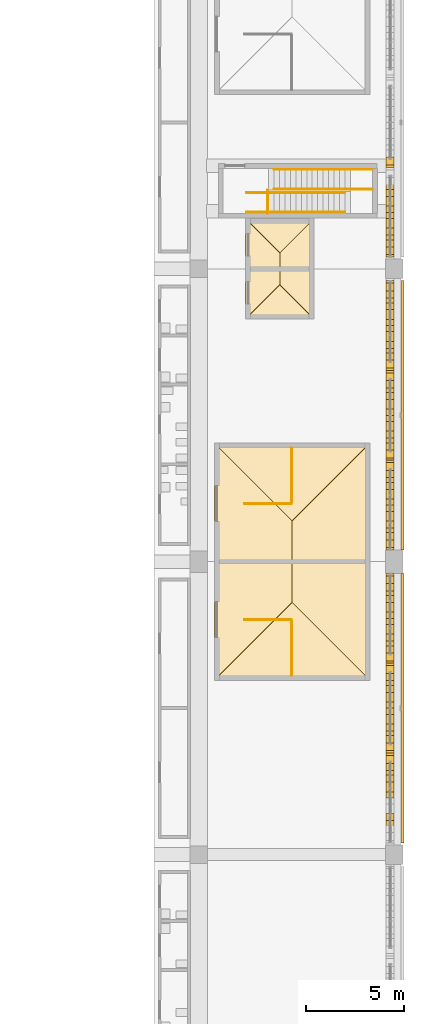
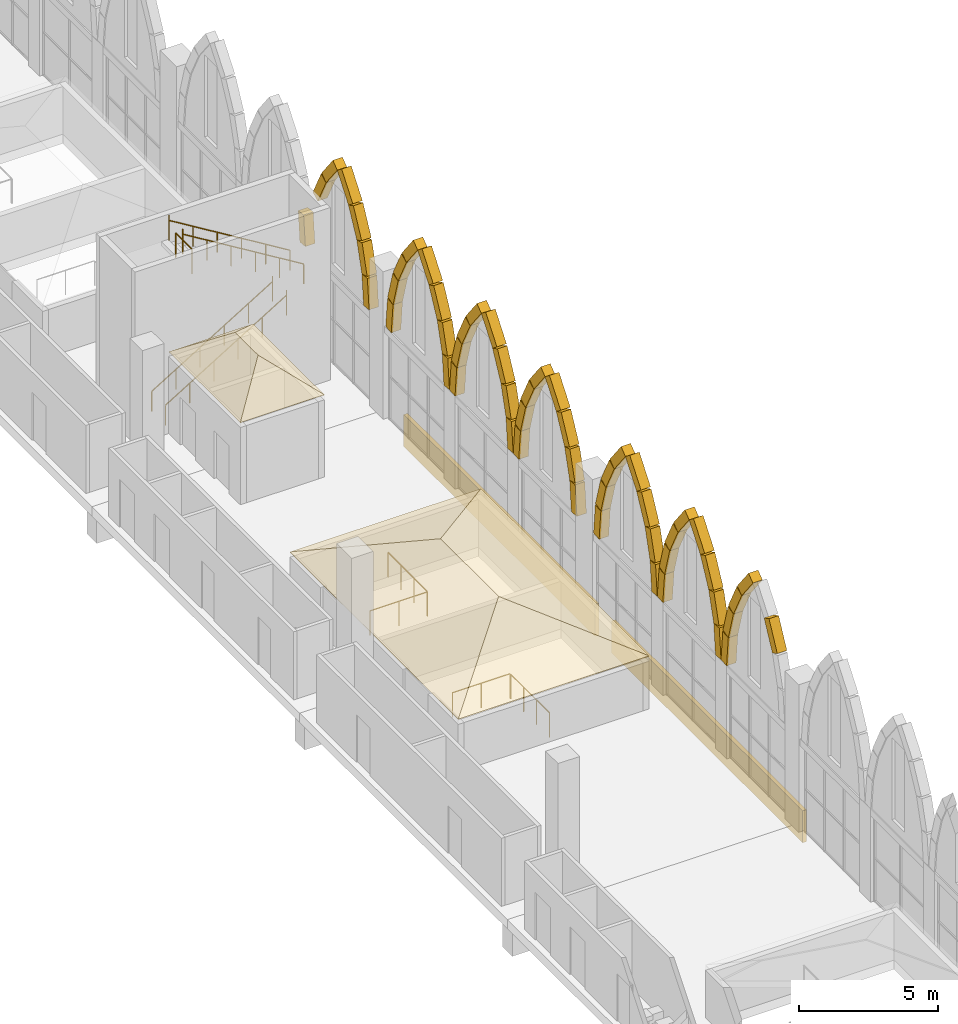
# One storey, part 113 of 130: 62 coverings, 9 railings.
"""IFC4 building model written with IfcOpenShell, lengths in metres."""

from ifc_helpers import new_model, si_unit, direction, frame, origin, origin_2d, place, context, subcontext, project, spatial, polyline, rectangle, circle, outline, extrude, material, layer, layer_set, material_profile, profile_set, type_object, element, save


model = new_model("IFC4")

# Units and contexts
model_context = context("Model", 3, precision=1e-05, world=origin(), true_north=direction((0.0, 1.0)))
body_context = subcontext(model_context, "Body", "Model", "MODEL_VIEW")
ifc_project = project(units=[si_unit("LENGTHUNIT", "METRE"), si_unit("AREAUNIT", "SQUARE_METRE"), si_unit("VOLUMEUNIT", "CUBIC_METRE"), si_unit("PLANEANGLEUNIT", "RADIAN"), si_unit("MASSUNIT", "GRAM", prefix="KILO")], contexts=[model_context])

# Site, building, storey
site_placement = place(None, origin())
site = spatial("IfcSite", under=ifc_project, at=site_placement, CompositionType="ELEMENT")
building_placement = place(site_placement, origin())
building = spatial("IfcBuilding", under=site, at=building_placement, Name="Ogive Plaza Stadium", CompositionType="ELEMENT")
storey_placement = place(building_placement, frame((0.0, 0.0, 22.5)))
storey = spatial("IfcBuildingStorey", under=building, at=storey_placement, Name="L05", CompositionType="ELEMENT", Elevation=22.5)

# Railings
ifc_material_1 = material(Name="Steel ASTM A572 Grade 50", Category="steel")
railing_type_1 = type_object("IfcRailingType", Name="Guard 1100", PredefinedType="GUARDRAIL", material=ifc_material_1)
railing_1_placement = place(storey_placement, frame((76.35009765625, -25.47509765625, 0.0)))
element("IfcRailing", 1, at=railing_1_placement, inside=storey, type_object=railing_type_1, Name="Stair well guard ST06A L05", PredefinedType="GUARDRAIL", context=body_context, shape_type="SweptSolid", body=[
    extrude(circle(Radius=0.02392578125, at=origin_2d()), frame((0.0, 0.0, 1.076171875), z_axis=(1.0, 0.0, 0.0), x_axis=(0.0, 1.0, 0.0)), (0.0, 0.0, 1.0), 2.39990234375),
    extrude(circle(Radius=0.02099609375, at=origin_2d()), origin(), (0.0, 0.0, 1.0), 1.052001953125),
    extrude(circle(Radius=0.02099609375, at=origin_2d()), frame((1.199951171875, 0.0, 0.0)), (0.0, 0.0, 1.0), 1.052001953125),
    extrude(circle(Radius=0.02099609375, at=origin_2d()), frame((2.39990234375, 0.0, 0.0)), (0.0, 0.0, 1.0), 1.052001953125),
])
railing_2_placement = place(storey_placement, frame((78.75, -28.324951171875, 0.0)))
element("IfcRailing", 2, at=railing_2_placement, inside=storey, type_object=railing_type_1, Name="Stair guard ST06A L05", PredefinedType="GUARDRAIL", context=body_context, shape_type="SweptSolid", body=[
    extrude(circle(Radius=0.02392578125, at=origin_2d()), frame((0.0, 0.0, 1.076171875), z_axis=(0.0, 1.0, 0.0), x_axis=(-1.0, 0.0, 0.0)), (0.0, 0.0, 1.0), 2.800048828125),
    extrude(circle(Radius=0.02099609375, at=origin_2d()), origin(), (0.0, 0.0, 1.0), 1.052001953125),
    extrude(circle(Radius=0.02099609375, at=origin_2d()), frame((0.0, 0.933349609375, 0.0)), (0.0, 0.0, 1.0), 1.052001953125),
    extrude(circle(Radius=0.02099609375, at=origin_2d()), frame((0.0, 1.86669921875, 0.0)), (0.0, 0.0, 1.0), 1.052001953125),
    extrude(circle(Radius=0.02099609375, at=origin_2d()), frame((0.0, 2.800048828125, 0.0)), (0.0, 0.0, 1.0), 1.052001953125),
])
railing_3_placement = place(storey_placement, frame((76.35009765625, -19.52490234375, 0.0)))
element("IfcRailing", 3, at=railing_3_placement, inside=storey, type_object=railing_type_1, Name="Stair well guard ST06B L05", PredefinedType="GUARDRAIL", context=body_context, shape_type="SweptSolid", body=[
    extrude(circle(Radius=0.02392578125, at=origin_2d()), frame((0.0, 0.0, 1.076171875), z_axis=(1.0, 0.0, 0.0), x_axis=(0.0, 1.0, 0.0)), (0.0, 0.0, 1.0), 2.39990234375),
    extrude(circle(Radius=0.02099609375, at=origin_2d()), origin(), (0.0, 0.0, 1.0), 1.052001953125),
    extrude(circle(Radius=0.02099609375, at=origin_2d()), frame((1.199951171875, 0.0, 0.0)), (0.0, 0.0, 1.0), 1.052001953125),
    extrude(circle(Radius=0.02099609375, at=origin_2d()), frame((2.39990234375, 0.0, 0.0)), (0.0, 0.0, 1.0), 1.052001953125),
])
railing_4_placement = place(storey_placement, frame((78.75, -19.47509765625, 0.0)))
element("IfcRailing", 4, at=railing_4_placement, inside=storey, type_object=railing_type_1, Name="Stair guard ST06B L05", PredefinedType="GUARDRAIL", context=body_context, shape_type="SweptSolid", body=[
    extrude(circle(Radius=0.02392578125, at=origin_2d()), frame((0.0, 0.0, 1.076171875), z_axis=(0.0, 1.0, 0.0), x_axis=(-1.0, 0.0, 0.0)), (0.0, 0.0, 1.0), 2.800048828125),
    extrude(circle(Radius=0.02099609375, at=origin_2d()), origin(), (0.0, 0.0, 1.0), 1.052001953125),
    extrude(circle(Radius=0.02099609375, at=origin_2d()), frame((0.0, 0.933349609375, 0.0)), (0.0, 0.0, 1.0), 1.052001953125),
    extrude(circle(Radius=0.02099609375, at=origin_2d()), frame((0.0, 1.86669921875, 0.0)), (0.0, 0.0, 1.0), 1.052001953125),
    extrude(circle(Radius=0.02099609375, at=origin_2d()), frame((0.0, 2.800048828125, 0.0)), (0.0, 0.0, 1.0), 1.052001953125),
])
railing_5_placement = place(storey_placement, frame((77.52001953125, -4.64990234375, 6.5)))
element("IfcRailing", 5, at=railing_5_placement, inside=storey, type_object=railing_type_1, Name="Roof access stair RA1 platform guard", PredefinedType="GUARDRAIL", context=body_context, shape_type="SweptSolid", body=[
    extrude(circle(Radius=0.02392578125, at=origin_2d()), frame((0.0, 0.0, 1.076171875), z_axis=(0.0, 1.0, 0.0), x_axis=(-1.0, 0.0, 0.0)), (0.0, 0.0, 1.0), 1.179931640625),
    extrude(circle(Radius=0.02099609375, at=origin_2d()), origin(), (0.0, 0.0, 1.0), 1.052001953125),
    extrude(circle(Radius=0.02099609375, at=origin_2d()), frame((0.0, 1.179931640625, 0.0)), (0.0, 0.0, 1.0), 1.052001953125),
])
ifc_material_2 = material(Name="Steel ASTM A572 Grade 50", Category="steel")
railing_type_2 = type_object("IfcRailingType", Name="Handrail 900", PredefinedType="HANDRAIL", material=ifc_material_2)
for number, where, name in (
    (6, (76.449951171875, -4.590087890625, 0.171142578125), "Handrail RA1 L05"),
    (7, (76.449951171875, -3.590087890625, 0.171142578125), "Handrail RA1 L05"),
):
    element("IfcRailing", number, at=place(storey_placement, frame(where)), inside=storey, type_object=railing_type_2, Name=name, PredefinedType="HANDRAIL", context=body_context, shape_type="SweptSolid", body=[
        extrude(circle(Radius=0.02392578125, at=origin_2d()), frame((0.0, 0.0, 0.8759765625), z_axis=(0.853369698388, 0.0, 0.521306203564), x_axis=(0.0, 1.0, 0.0)), (0.0, 0.0, 1.0), 5.906005859375),
        extrude(circle(Radius=0.02099609375, at=origin_2d()), origin(), (0.0, 0.0, 1.0), 0.851806640625),
        extrude(circle(Radius=0.02099609375, at=origin_2d()), frame((1.008056640625, 0.0, 0.61572265625)), (0.0, 0.0, 1.0), 0.851806640625),
        extrude(circle(Radius=0.02099609375, at=origin_2d()), frame((2.01611328125, 0.0, 1.2314453125)), (0.0, 0.0, 1.0), 0.851806640625),
        extrude(circle(Radius=0.02099609375, at=origin_2d()), frame((3.02392578125, 0.0, 1.847412109375)), (0.0, 0.0, 1.0), 0.851806640625),
        extrude(circle(Radius=0.02099609375, at=origin_2d()), frame((4.031982421875, 0.0, 2.463134765625)), (0.0, 0.0, 1.0), 0.851806640625),
        extrude(circle(Radius=0.02099609375, at=origin_2d()), frame((5.0400390625, 0.0, 3.078857421875)), (0.0, 0.0, 1.0), 1.10009765625),
    ])
for number, where, name in (
    (8, (82.889892578125, -3.409912109375, 3.421142578125), "Handrail RA1 L05"),
    (9, (82.889892578125, -2.409912109375, 3.421142578125), "Handrail RA1 L05"),
):
    element("IfcRailing", number, at=place(storey_placement, frame(where)), inside=storey, type_object=railing_type_2, Name=name, PredefinedType="HANDRAIL", context=body_context, shape_type="SweptSolid", body=[
        extrude(circle(Radius=0.02392578125, at=origin_2d()), frame((0.0, 0.0, 0.8759765625), z_axis=(-0.853358463929, 0.0, 0.521324593742), x_axis=(0.0, -1.0, 0.0)), (0.0, 0.0, 1.0), 5.90576171875),
        extrude(circle(Radius=0.02099609375, at=origin_2d()), origin(), (0.0, 0.0, 1.0), 0.851806640625),
        extrude(circle(Radius=0.02099609375, at=origin_2d()), frame((-1.008056640625, 0.0, 0.61572265625)), (0.0, 0.0, 1.0), 0.851806640625),
        extrude(circle(Radius=0.02099609375, at=origin_2d()), frame((-2.015869140625, 0.0, 1.2314453125)), (0.0, 0.0, 1.0), 0.851806640625),
        extrude(circle(Radius=0.02099609375, at=origin_2d()), frame((-3.02392578125, 0.0, 1.847412109375)), (0.0, 0.0, 1.0), 0.851806640625),
        extrude(circle(Radius=0.02099609375, at=origin_2d()), frame((-4.03173828125, 0.0, 2.463134765625)), (0.0, 0.0, 1.0), 0.851806640625),
        extrude(circle(Radius=0.02099609375, at=origin_2d()), frame((-5.039794921875, 0.0, 3.078857421875)), (0.0, 0.0, 1.0), 1.10009765625),
    ])

# Coverings
ifc_material_3 = material(Name="Zinc sheet", Category="metal")
ifc_layer_1 = layer(ifc_material_3, 0.030029296875)
ifc_layer_set_1 = layer_set([ifc_layer_1], Name="Overrun roof zinc 30")
covering_type_1 = type_object("IfcCoveringType", Name="Overrun roof zinc 30", PredefinedType="ROOFING", material=ifc_layer_set_1)
covering_1_placement = place(storey_placement, frame((79.89990234375, -10.074951171875, 3.6240234375), z_axis=(0.596338434259, 0.0, 0.802733126154), x_axis=(0.0, 1.0, 0.0)))
element("IfcCovering", 10, at=covering_1_placement, inside=storey, type_object=covering_type_1, Name="Lift overrun roof facet LP05 1", PredefinedType="ROOFING", context=body_context, shape_type="SweptSolid", body=[
    extrude(outline(polyline([(0.0, 0.0), (5.14990234375, 0.0), (3.39990234375, 2.1800520533944105), (1.75, 2.1800520533944105), (0.0, 0.0)])), origin(), (0.0, 0.0, -1.0), 0.030029296875),
])
covering_2_placement = place(storey_placement, frame((79.89990234375, -4.925048828125, 3.6240234375), z_axis=(0.0, 0.596338434259, 0.802733126154), x_axis=(-1.0, 0.0, 0.0)))
element("IfcCovering", 11, at=covering_2_placement, inside=storey, type_object=covering_type_1, Name="Lift overrun roof facet LP05 2", PredefinedType="ROOFING", context=body_context, shape_type="SweptSolid", body=[
    extrude(outline(polyline([(0.0, 0.0), (3.5, 0.0), (1.75, 2.1800520533944105), (0.0, 0.0)])), origin(), (0.0, 0.0, -1.0), 0.030029296875),
])
covering_3_placement = place(storey_placement, frame((76.39990234375, -4.925048828125, 3.6240234375), z_axis=(-0.596338434259, 0.0, 0.802733126154), x_axis=(0.0, -1.0, 0.0)))
element("IfcCovering", 12, at=covering_3_placement, inside=storey, type_object=covering_type_1, Name="Lift overrun roof facet LP05 3", PredefinedType="ROOFING", context=body_context, shape_type="SweptSolid", body=[
    extrude(outline(polyline([(0.0, 0.0), (5.14990234375, 0.0), (3.39990234375, 2.1800520533944105), (1.75, 2.1800520533944105), (0.0, 0.0)])), origin(), (0.0, 0.0, -1.0), 0.030029296875),
])
covering_4_placement = place(storey_placement, frame((76.39990234375, -10.074951171875, 3.6240234375), z_axis=(0.0, -0.596338434259, 0.802733126154), x_axis=(1.0, 0.0, 0.0)))
element("IfcCovering", 13, at=covering_4_placement, inside=storey, type_object=covering_type_1, Name="Lift overrun roof facet LP05 4", PredefinedType="ROOFING", context=body_context, shape_type="SweptSolid", body=[
    extrude(outline(polyline([(0.0, 0.0), (3.5, 0.0), (1.75, 2.1800520533944105), (0.0, 0.0)])), origin(), (0.0, 0.0, -1.0), 0.030029296875),
])
ifc_material_4 = material(Name="Cast stone (reconstituted limestone)", Category="masonry")
ifc_material_profile = material_profile(ifc_material_4, rectangle(XDim=0.39990234375, YDim=0.39990234375, at=origin_2d()), Name="Cast stone 400x400")
ifc_profile_set = profile_set([ifc_material_profile], Name="Cast stone (reconstituted limestone)")
covering_type_2 = type_object("IfcCoveringType", Name="Precast arch rib 400x400", PredefinedType="MOLDING", material=ifc_profile_set)
covering_5_placement = place(storey_placement, frame((83.800048828125, -1.974853515625, 5.4326171875), z_axis=(0.0, -0.094171713154, -0.995555969517), x_axis=(1.0, 0.0, 0.0)))
element("IfcCovering", 14, at=covering_5_placement, inside=storey, type_object=covering_type_2, Name="ARCH RIB B04 2.8", PredefinedType="MOLDING", context=body_context, shape_type="SweptSolid", body=[
    extrude(rectangle(XDim=0.39990234375, YDim=0.39990234375, at=origin_2d()), origin(), (0.0, 0.0, 1.0), 1.319580078125),
])
covering_6_placement = place(storey_placement, frame((83.800048828125, -3.01416015625, 6.77197265625), z_axis=(0.0, -0.453787214374, 0.891110074048), x_axis=(1.0, 0.0, 0.0)))
element("IfcCovering", 15, at=covering_6_placement, inside=storey, type_object=covering_type_2, Name="ARCH RIB B04 3.3", PredefinedType="MOLDING", context=body_context, shape_type="SweptSolid", body=[
    extrude(rectangle(XDim=0.39990234375, YDim=0.39990234375, at=origin_2d()), origin(), (0.0, 0.0, 1.0), 1.31982421875),
])
for number, where, z_axis, x_axis, name in (
    (16, (83.800048828125, -3.63330078125, 7.979736328125), (0.0, -0.612799939872, 0.790238086713), (1.0, 0.0, 0.0), "ARCH RIB B04 3.4"),
    (17, (83.800048828125, -4.758056640625, 9.0224609375), (0.0, -0.612799939872, -0.790238086713), (1.0, 0.0, 0.0), "ARCH RIB B04 3.5"),
):
    element("IfcCovering", number, at=place(storey_placement, frame(where, z_axis=z_axis, x_axis=x_axis)), inside=storey, type_object=covering_type_2, Name=name, PredefinedType="MOLDING", context=body_context, shape_type="SweptSolid", body=[
        extrude(rectangle(XDim=0.39990234375, YDim=0.39990234375, at=origin_2d()), origin(), (0.0, 0.0, 1.0), 1.319580078125),
    ])
for number, where, z_axis, x_axis, name in (
    (18, (83.800048828125, -5.5869140625, 7.947998046875), (0.0, -0.453934094395, -0.891035261898), (1.0, 0.0, 0.0), "ARCH RIB B04 3.6"),
    (19, (83.800048828125, -6.19970703125, 6.737060546875), (0.0, -0.2789697965, -0.960299876414), (1.0, 0.0, 0.0), "ARCH RIB B04 3.7"),
):
    element("IfcCovering", number, at=place(storey_placement, frame(where, z_axis=z_axis, x_axis=x_axis)), inside=storey, type_object=covering_type_2, Name=name, PredefinedType="MOLDING", context=body_context, shape_type="SweptSolid", body=[
        extrude(rectangle(XDim=0.39990234375, YDim=0.39990234375, at=origin_2d()), origin(), (0.0, 0.0, 1.0), 1.31982421875),
    ])
for number, where, z_axis, x_axis, name in (
    (20, (83.800048828125, -6.574951171875, 5.4326171875), (0.0, -0.094171713154, -0.995555969517), (1.0, 0.0, 0.0), "ARCH RIB B04 3.8"),
    (21, (83.800048828125, -8.30078125, 4.118896484375), (0.0, -0.094171713154, 0.995555969517), (1.0, 0.0, 0.0), "ARCH RIB B05 1.1"),
):
    element("IfcCovering", number, at=place(storey_placement, frame(where, z_axis=z_axis, x_axis=x_axis)), inside=storey, type_object=covering_type_2, Name=name, PredefinedType="MOLDING", context=body_context, shape_type="SweptSolid", body=[
        extrude(rectangle(XDim=0.39990234375, YDim=0.39990234375, at=origin_2d()), origin(), (0.0, 0.0, 1.0), 1.319580078125),
    ])
for number, where, z_axis, x_axis, name in (
    (22, (83.800048828125, -8.43212890625, 5.4697265625), (0.0, -0.2789697965, 0.960299876414), (1.0, 0.0, 0.0), "ARCH RIB B05 1.2"),
    (23, (83.800048828125, -8.81396484375, 6.77197265625), (0.0, -0.453934094395, 0.891035261898), (1.0, 0.0, 0.0), "ARCH RIB B05 1.3"),
):
    element("IfcCovering", number, at=place(storey_placement, frame(where, z_axis=z_axis, x_axis=x_axis)), inside=storey, type_object=covering_type_2, Name=name, PredefinedType="MOLDING", context=body_context, shape_type="SweptSolid", body=[
        extrude(rectangle(XDim=0.39990234375, YDim=0.39990234375, at=origin_2d()), origin(), (0.0, 0.0, 1.0), 1.31982421875),
    ])
for number, where, z_axis, x_axis, name in (
    (24, (83.800048828125, -9.433349609375, 7.979736328125), (0.0, -0.612799939872, 0.790238086713), (1.0, 0.0, 0.0), "ARCH RIB B05 1.4"),
    (25, (83.800048828125, -10.55810546875, 9.0224609375), (0.0, -0.612799939872, -0.790238086713), (1.0, 0.0, 0.0), "ARCH RIB B05 1.5"),
):
    element("IfcCovering", number, at=place(storey_placement, frame(where, z_axis=z_axis, x_axis=x_axis)), inside=storey, type_object=covering_type_2, Name=name, PredefinedType="MOLDING", context=body_context, shape_type="SweptSolid", body=[
        extrude(rectangle(XDim=0.39990234375, YDim=0.39990234375, at=origin_2d()), origin(), (0.0, 0.0, 1.0), 1.319580078125),
    ])
for number, where, z_axis, x_axis, name in (
    (26, (83.800048828125, -11.386962890625, 7.947998046875), (0.0, -0.453787214374, -0.891110074048), (1.0, 0.0, 0.0), "ARCH RIB B05 1.6"),
    (27, (83.800048828125, -11.999755859375, 6.737060546875), (0.0, -0.2789697965, -0.960299876414), (1.0, 0.0, 0.0), "ARCH RIB B05 1.7"),
):
    element("IfcCovering", number, at=place(storey_placement, frame(where, z_axis=z_axis, x_axis=x_axis)), inside=storey, type_object=covering_type_2, Name=name, PredefinedType="MOLDING", context=body_context, shape_type="SweptSolid", body=[
        extrude(rectangle(XDim=0.39990234375, YDim=0.39990234375, at=origin_2d()), origin(), (0.0, 0.0, 1.0), 1.31982421875),
    ])
for number, where, z_axis, x_axis, name in (
    (28, (83.800048828125, -12.375, 5.4326171875), (0.0, -0.093988335931, -0.995573298511), (1.0, 0.0, 0.0), "ARCH RIB B05 1.8"),
    (29, (83.800048828125, -12.90087890625, 4.118896484375), (0.0, -0.094171713154, 0.995555969517), (1.0, 0.0, 0.0), "ARCH RIB B05 2.1"),
    (30, (83.800048828125, -13.0322265625, 5.4697265625), (0.0, -0.278799187003, 0.960349422516), (1.0, 0.0, 0.0), "ARCH RIB B05 2.2"),
):
    element("IfcCovering", number, at=place(storey_placement, frame(where, z_axis=z_axis, x_axis=x_axis)), inside=storey, type_object=covering_type_2, Name=name, PredefinedType="MOLDING", context=body_context, shape_type="SweptSolid", body=[
        extrude(rectangle(XDim=0.39990234375, YDim=0.39990234375, at=origin_2d()), origin(), (0.0, 0.0, 1.0), 1.319580078125),
    ])
covering_7_placement = place(storey_placement, frame((83.800048828125, -13.4140625, 6.77197265625), z_axis=(0.0, -0.453934094395, 0.891035261898), x_axis=(1.0, 0.0, 0.0)))
element("IfcCovering", 31, at=covering_7_placement, inside=storey, type_object=covering_type_2, Name="ARCH RIB B05 2.3", PredefinedType="MOLDING", context=body_context, shape_type="SweptSolid", body=[
    extrude(rectangle(XDim=0.39990234375, YDim=0.39990234375, at=origin_2d()), origin(), (0.0, 0.0, 1.0), 1.31982421875),
])
for number, where, z_axis, x_axis, name in (
    (32, (83.800048828125, -14.033203125, 7.979736328125), (0.0, -0.612915463399, 0.790148489036), (1.0, 0.0, 0.0), "ARCH RIB B05 2.4"),
    (33, (83.800048828125, -15.157958984375, 9.0224609375), (0.0, -0.612915463399, -0.790148489036), (1.0, 0.0, 0.0), "ARCH RIB B05 2.5"),
):
    element("IfcCovering", number, at=place(storey_placement, frame(where, z_axis=z_axis, x_axis=x_axis)), inside=storey, type_object=covering_type_2, Name=name, PredefinedType="MOLDING", context=body_context, shape_type="SweptSolid", body=[
        extrude(rectangle(XDim=0.39990234375, YDim=0.39990234375, at=origin_2d()), origin(), (0.0, 0.0, 1.0), 1.319580078125),
    ])
covering_8_placement = place(storey_placement, frame((83.800048828125, -15.98681640625, 7.947998046875), z_axis=(0.0, -0.453934094395, -0.891035261898), x_axis=(1.0, 0.0, 0.0)))
element("IfcCovering", 34, at=covering_8_placement, inside=storey, type_object=covering_type_2, Name="ARCH RIB B05 2.6", PredefinedType="MOLDING", context=body_context, shape_type="SweptSolid", body=[
    extrude(rectangle(XDim=0.39990234375, YDim=0.39990234375, at=origin_2d()), origin(), (0.0, 0.0, 1.0), 1.31982421875),
])
for number, where, z_axis, x_axis, name in (
    (35, (83.800048828125, -16.599853515625, 6.737060546875), (0.0, -0.278799187003, -0.960349422516), (1.0, 0.0, 0.0), "ARCH RIB B05 2.7"),
    (36, (83.800048828125, -16.974853515625, 5.4326171875), (0.0, -0.094171713154, -0.995555969517), (1.0, 0.0, 0.0), "ARCH RIB B05 2.8"),
    (37, (83.800048828125, -17.5009765625, 4.118896484375), (0.0, -0.093988335931, 0.995573298511), (1.0, 0.0, 0.0), "ARCH RIB B05 3.1"),
):
    element("IfcCovering", number, at=place(storey_placement, frame(where, z_axis=z_axis, x_axis=x_axis)), inside=storey, type_object=covering_type_2, Name=name, PredefinedType="MOLDING", context=body_context, shape_type="SweptSolid", body=[
        extrude(rectangle(XDim=0.39990234375, YDim=0.39990234375, at=origin_2d()), origin(), (0.0, 0.0, 1.0), 1.319580078125),
    ])
for number, where, z_axis, x_axis, name in (
    (38, (83.800048828125, -17.632080078125, 5.4697265625), (0.0, -0.2789697965, 0.960299876414), (1.0, 0.0, 0.0), "ARCH RIB B05 3.2"),
    (39, (83.800048828125, -18.01416015625, 6.77197265625), (0.0, -0.453787214374, 0.891110074048), (1.0, 0.0, 0.0), "ARCH RIB B05 3.3"),
):
    element("IfcCovering", number, at=place(storey_placement, frame(where, z_axis=z_axis, x_axis=x_axis)), inside=storey, type_object=covering_type_2, Name=name, PredefinedType="MOLDING", context=body_context, shape_type="SweptSolid", body=[
        extrude(rectangle(XDim=0.39990234375, YDim=0.39990234375, at=origin_2d()), origin(), (0.0, 0.0, 1.0), 1.31982421875),
    ])
for number, where, z_axis, x_axis, name in (
    (40, (83.800048828125, -18.63330078125, 7.979736328125), (0.0, -0.612799939872, 0.790238086713), (1.0, 0.0, 0.0), "ARCH RIB B05 3.4"),
    (41, (83.800048828125, -19.758056640625, 9.0224609375), (0.0, -0.612799939872, -0.790238086713), (1.0, 0.0, 0.0), "ARCH RIB B05 3.5"),
):
    element("IfcCovering", number, at=place(storey_placement, frame(where, z_axis=z_axis, x_axis=x_axis)), inside=storey, type_object=covering_type_2, Name=name, PredefinedType="MOLDING", context=body_context, shape_type="SweptSolid", body=[
        extrude(rectangle(XDim=0.39990234375, YDim=0.39990234375, at=origin_2d()), origin(), (0.0, 0.0, 1.0), 1.319580078125),
    ])
for number, where, z_axis, x_axis, name in (
    (42, (83.800048828125, -20.5869140625, 7.947998046875), (0.0, -0.453934094395, -0.891035261898), (1.0, 0.0, 0.0), "ARCH RIB B05 3.6"),
    (43, (83.800048828125, -21.19970703125, 6.737060546875), (0.0, -0.2789697965, -0.960299876414), (1.0, 0.0, 0.0), "ARCH RIB B05 3.7"),
):
    element("IfcCovering", number, at=place(storey_placement, frame(where, z_axis=z_axis, x_axis=x_axis)), inside=storey, type_object=covering_type_2, Name=name, PredefinedType="MOLDING", context=body_context, shape_type="SweptSolid", body=[
        extrude(rectangle(XDim=0.39990234375, YDim=0.39990234375, at=origin_2d()), origin(), (0.0, 0.0, 1.0), 1.31982421875),
    ])
for number, where, z_axis, x_axis, name in (
    (44, (83.800048828125, -21.574951171875, 5.4326171875), (0.0, -0.094171713154, -0.995555969517), (1.0, 0.0, 0.0), "ARCH RIB B05 3.8"),
    (45, (83.800048828125, -23.30078125, 4.118896484375), (0.0, -0.094171713154, 0.995555969517), (1.0, 0.0, 0.0), "ARCH RIB B06 1.1"),
):
    element("IfcCovering", number, at=place(storey_placement, frame(where, z_axis=z_axis, x_axis=x_axis)), inside=storey, type_object=covering_type_2, Name=name, PredefinedType="MOLDING", context=body_context, shape_type="SweptSolid", body=[
        extrude(rectangle(XDim=0.39990234375, YDim=0.39990234375, at=origin_2d()), origin(), (0.0, 0.0, 1.0), 1.319580078125),
    ])
for number, where, z_axis, x_axis, name in (
    (46, (83.800048828125, -23.43212890625, 5.4697265625), (0.0, -0.2789697965, 0.960299876414), (1.0, 0.0, 0.0), "ARCH RIB B06 1.2"),
    (47, (83.800048828125, -23.81396484375, 6.77197265625), (0.0, -0.453934094395, 0.891035261898), (1.0, 0.0, 0.0), "ARCH RIB B06 1.3"),
):
    element("IfcCovering", number, at=place(storey_placement, frame(where, z_axis=z_axis, x_axis=x_axis)), inside=storey, type_object=covering_type_2, Name=name, PredefinedType="MOLDING", context=body_context, shape_type="SweptSolid", body=[
        extrude(rectangle(XDim=0.39990234375, YDim=0.39990234375, at=origin_2d()), origin(), (0.0, 0.0, 1.0), 1.31982421875),
    ])
for number, where, z_axis, x_axis, name in (
    (48, (83.800048828125, -24.433349609375, 7.979736328125), (0.0, -0.612799939872, 0.790238086713), (1.0, 0.0, 0.0), "ARCH RIB B06 1.4"),
    (49, (83.800048828125, -25.55810546875, 9.0224609375), (0.0, -0.612799939872, -0.790238086713), (1.0, 0.0, 0.0), "ARCH RIB B06 1.5"),
):
    element("IfcCovering", number, at=place(storey_placement, frame(where, z_axis=z_axis, x_axis=x_axis)), inside=storey, type_object=covering_type_2, Name=name, PredefinedType="MOLDING", context=body_context, shape_type="SweptSolid", body=[
        extrude(rectangle(XDim=0.39990234375, YDim=0.39990234375, at=origin_2d()), origin(), (0.0, 0.0, 1.0), 1.319580078125),
    ])
for number, where, z_axis, x_axis, name in (
    (50, (83.800048828125, -26.386962890625, 7.947998046875), (0.0, -0.453787214374, -0.891110074048), (1.0, 0.0, 0.0), "ARCH RIB B06 1.6"),
    (51, (83.800048828125, -26.999755859375, 6.737060546875), (0.0, -0.2789697965, -0.960299876414), (1.0, 0.0, 0.0), "ARCH RIB B06 1.7"),
):
    element("IfcCovering", number, at=place(storey_placement, frame(where, z_axis=z_axis, x_axis=x_axis)), inside=storey, type_object=covering_type_2, Name=name, PredefinedType="MOLDING", context=body_context, shape_type="SweptSolid", body=[
        extrude(rectangle(XDim=0.39990234375, YDim=0.39990234375, at=origin_2d()), origin(), (0.0, 0.0, 1.0), 1.31982421875),
    ])
for number, where, z_axis, x_axis, name in (
    (52, (83.800048828125, -27.375, 5.4326171875), (0.0, -0.093988335931, -0.995573298511), (1.0, 0.0, 0.0), "ARCH RIB B06 1.8"),
    (53, (83.800048828125, -27.90087890625, 4.118896484375), (0.0, -0.094171713154, 0.995555969517), (1.0, 0.0, 0.0), "ARCH RIB B06 2.1"),
    (54, (83.800048828125, -28.0322265625, 5.4697265625), (0.0, -0.278799187003, 0.960349422516), (1.0, 0.0, 0.0), "ARCH RIB B06 2.2"),
):
    element("IfcCovering", number, at=place(storey_placement, frame(where, z_axis=z_axis, x_axis=x_axis)), inside=storey, type_object=covering_type_2, Name=name, PredefinedType="MOLDING", context=body_context, shape_type="SweptSolid", body=[
        extrude(rectangle(XDim=0.39990234375, YDim=0.39990234375, at=origin_2d()), origin(), (0.0, 0.0, 1.0), 1.319580078125),
    ])
covering_9_placement = place(storey_placement, frame((83.800048828125, -28.4140625, 6.77197265625), z_axis=(0.0, -0.453934094395, 0.891035261898), x_axis=(1.0, 0.0, 0.0)))
element("IfcCovering", 55, at=covering_9_placement, inside=storey, type_object=covering_type_2, Name="ARCH RIB B06 2.3", PredefinedType="MOLDING", context=body_context, shape_type="SweptSolid", body=[
    extrude(rectangle(XDim=0.39990234375, YDim=0.39990234375, at=origin_2d()), origin(), (0.0, 0.0, 1.0), 1.31982421875),
])
for number, where, z_axis, x_axis, name in (
    (56, (83.800048828125, -29.033203125, 7.979736328125), (0.0, -0.612915463399, 0.790148489036), (1.0, 0.0, 0.0), "ARCH RIB B06 2.4"),
    (57, (83.800048828125, -30.157958984375, 9.0224609375), (0.0, -0.612915463399, -0.790148489036), (1.0, 0.0, 0.0), "ARCH RIB B06 2.5"),
):
    element("IfcCovering", number, at=place(storey_placement, frame(where, z_axis=z_axis, x_axis=x_axis)), inside=storey, type_object=covering_type_2, Name=name, PredefinedType="MOLDING", context=body_context, shape_type="SweptSolid", body=[
        extrude(rectangle(XDim=0.39990234375, YDim=0.39990234375, at=origin_2d()), origin(), (0.0, 0.0, 1.0), 1.319580078125),
    ])
covering_10_placement = place(storey_placement, frame((83.800048828125, -30.98681640625, 7.947998046875), z_axis=(0.0, -0.453934094395, -0.891035261898), x_axis=(1.0, 0.0, 0.0)))
element("IfcCovering", 58, at=covering_10_placement, inside=storey, type_object=covering_type_2, Name="ARCH RIB B06 2.6", PredefinedType="MOLDING", context=body_context, shape_type="SweptSolid", body=[
    extrude(rectangle(XDim=0.39990234375, YDim=0.39990234375, at=origin_2d()), origin(), (0.0, 0.0, 1.0), 1.31982421875),
])
for number, where, z_axis, x_axis, name in (
    (59, (83.800048828125, -31.599853515625, 6.737060546875), (0.0, -0.278799187003, -0.960349422516), (1.0, 0.0, 0.0), "ARCH RIB B06 2.7"),
    (60, (83.800048828125, -31.974853515625, 5.4326171875), (0.0, -0.094171713154, -0.995555969517), (1.0, 0.0, 0.0), "ARCH RIB B06 2.8"),
    (61, (83.800048828125, -32.5009765625, 4.118896484375), (0.0, -0.093988335931, 0.995573298511), (1.0, 0.0, 0.0), "ARCH RIB B06 3.1"),
):
    element("IfcCovering", number, at=place(storey_placement, frame(where, z_axis=z_axis, x_axis=x_axis)), inside=storey, type_object=covering_type_2, Name=name, PredefinedType="MOLDING", context=body_context, shape_type="SweptSolid", body=[
        extrude(rectangle(XDim=0.39990234375, YDim=0.39990234375, at=origin_2d()), origin(), (0.0, 0.0, 1.0), 1.319580078125),
    ])
for number, where, z_axis, x_axis, name in (
    (62, (83.800048828125, -32.632080078125, 5.4697265625), (0.0, -0.2789697965, 0.960299876414), (1.0, 0.0, 0.0), "ARCH RIB B06 3.2"),
    (63, (83.800048828125, -33.01416015625, 6.77197265625), (0.0, -0.453787214374, 0.891110074048), (1.0, 0.0, 0.0), "ARCH RIB B06 3.3"),
):
    element("IfcCovering", number, at=place(storey_placement, frame(where, z_axis=z_axis, x_axis=x_axis)), inside=storey, type_object=covering_type_2, Name=name, PredefinedType="MOLDING", context=body_context, shape_type="SweptSolid", body=[
        extrude(rectangle(XDim=0.39990234375, YDim=0.39990234375, at=origin_2d()), origin(), (0.0, 0.0, 1.0), 1.31982421875),
    ])
covering_11_placement = place(storey_placement, frame((83.800048828125, -33.63330078125, 7.979736328125), z_axis=(0.0, -0.612799939872, 0.790238086713), x_axis=(1.0, 0.0, 0.0)))
element("IfcCovering", 64, at=covering_11_placement, inside=storey, type_object=covering_type_2, Name="ARCH RIB B06 3.4", PredefinedType="MOLDING", context=body_context, shape_type="SweptSolid", body=[
    extrude(rectangle(XDim=0.39990234375, YDim=0.39990234375, at=origin_2d()), origin(), (0.0, 0.0, 1.0), 1.319580078125),
])
covering_12_placement = place(storey_placement, frame((83.800048828125, -35.5869140625, 7.947998046875), z_axis=(0.0, -0.453934094395, -0.891035261898), x_axis=(1.0, 0.0, 0.0)))
element("IfcCovering", 65, at=covering_12_placement, inside=storey, type_object=covering_type_2, Name="ARCH RIB B06 3.6", PredefinedType="MOLDING", context=body_context, shape_type="SweptSolid", body=[
    extrude(rectangle(XDim=0.39990234375, YDim=0.39990234375, at=origin_2d()), origin(), (0.0, 0.0, 1.0), 1.31982421875),
])
ifc_material_5 = material(Name="Cast stone (reconstituted limestone)", Category="masonry")
ifc_layer_2 = layer(ifc_material_5, 0.159912109375)
ifc_layer_set_2 = layer_set([ifc_layer_2], Name="Precast spandrel cladding 160")
covering_type_3 = type_object("IfcCoveringType", Name="Precast spandrel cladding 160", PredefinedType="CLADDING", material=ifc_layer_set_2)
covering_13_placement = place(storey_placement, frame((0.0, 0.0, -1.409912109375)))
element("IfcCovering", 66, at=covering_13_placement, inside=storey, type_object=covering_type_3, Name="SPANDREL CLADDING B05 L05", PredefinedType="CLADDING", context=body_context, shape_type="SweptSolid", body=[
    extrude(outline(polyline([(84.35009765625, -8.10009765625), (84.35009765625, -21.89990234375), (84.510009765625, -21.89990234375), (84.510009765625, -8.10009765625), (84.35009765625, -8.10009765625)])), origin(), (0.0, 0.0, 1.0), 1.409912109375),
])
covering_14_placement = place(storey_placement, frame((0.0, 0.0, -1.409912109375)))
element("IfcCovering", 67, at=covering_14_placement, inside=storey, type_object=covering_type_3, Name="SPANDREL CLADDING B06 L05", PredefinedType="CLADDING", context=body_context, shape_type="SweptSolid", body=[
    extrude(outline(polyline([(84.35009765625, -23.10009765625), (84.35009765625, -36.89990234375), (84.510009765625, -36.89990234375), (84.510009765625, -23.10009765625), (84.35009765625, -23.10009765625)])), origin(), (0.0, 0.0, 1.0), 1.409912109375),
])
ifc_material_6 = material(Name="Zinc standing seam", Category="metal")
ifc_layer_3 = layer(ifc_material_6, 0.0400390625)
ifc_layer_set_3 = layer_set([ifc_layer_3], Name="Turret roof zinc standing seam 40")
covering_type_4 = type_object("IfcCoveringType", Name="Turret roof zinc standing seam 40", PredefinedType="ROOFING", material=ifc_layer_set_3)
covering_15_placement = place(storey_placement, frame((82.760009765625, -28.574951171875, 2.337158203125), z_axis=(0.372970046205, 0.0, 0.927843383677), x_axis=(0.0, 1.0, 0.0)))
element("IfcCovering", 68, at=covering_15_placement, inside=storey, type_object=covering_type_4, Name="Stair core roof facet R06 1", PredefinedType="ROOFING", context=body_context, shape_type="SweptSolid", body=[
    extrude(outline(polyline([(0.0, 0.0), (12.14990234375, 0.0), (8.169921875, 4.289495984738666), (3.97998046875, 4.289495984738666), (0.0, 0.0)])), origin(), (0.0, 0.0, -1.0), 0.0400390625),
])
covering_16_placement = place(storey_placement, frame((82.760009765625, -16.425048828125, 2.337158203125), z_axis=(0.0, 0.372970046205, 0.927843383677), x_axis=(-1.0, 0.0, 0.0)))
element("IfcCovering", 69, at=covering_16_placement, inside=storey, type_object=covering_type_4, Name="Stair core roof facet R06 2", PredefinedType="ROOFING", context=body_context, shape_type="SweptSolid", body=[
    extrude(outline(polyline([(0.0, 0.0), (7.9599609375, 0.0), (3.97998046875, 4.289495984738666), (0.0, 0.0)])), origin(), (0.0, 0.0, -1.0), 0.0400390625),
])
covering_17_placement = place(storey_placement, frame((74.800048828125, -16.425048828125, 2.337158203125), z_axis=(-0.372970046205, 0.0, 0.927843383677), x_axis=(0.0, -1.0, 0.0)))
element("IfcCovering", 70, at=covering_17_placement, inside=storey, type_object=covering_type_4, Name="Stair core roof facet R06 3", PredefinedType="ROOFING", context=body_context, shape_type="SweptSolid", body=[
    extrude(outline(polyline([(0.0, 0.0), (12.14990234375, 0.0), (8.169921875, 4.289495984738666), (3.97998046875, 4.289495984738666), (0.0, 0.0)])), origin(), (0.0, 0.0, -1.0), 0.0400390625),
])
covering_18_placement = place(storey_placement, frame((74.800048828125, -28.574951171875, 2.337158203125), z_axis=(0.0, -0.372970046205, 0.927843383677), x_axis=(1.0, 0.0, 0.0)))
element("IfcCovering", 71, at=covering_18_placement, inside=storey, type_object=covering_type_4, Name="Stair core roof facet R06 4", PredefinedType="ROOFING", context=body_context, shape_type="SweptSolid", body=[
    extrude(outline(polyline([(0.0, 0.0), (7.9599609375, 0.0), (3.97998046875, 4.289495984738666), (0.0, 0.0)])), origin(), (0.0, 0.0, -1.0), 0.0400390625),
])

save(model, "model.ifc")
